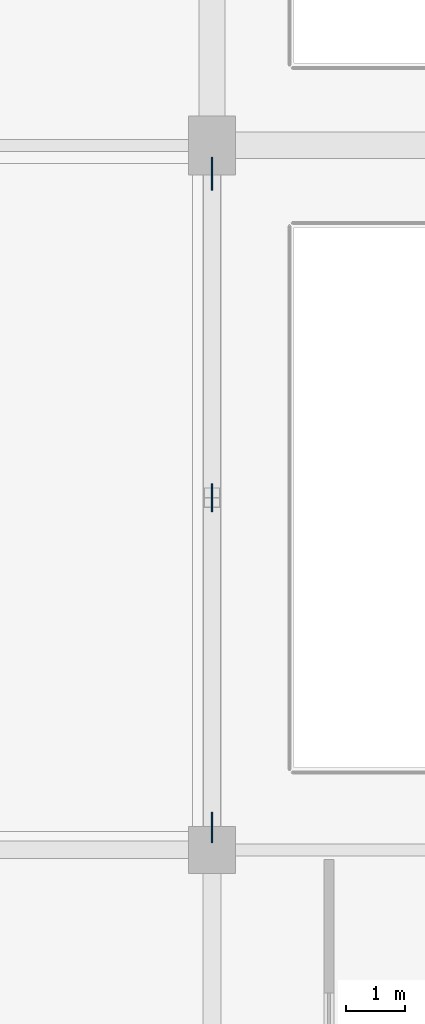
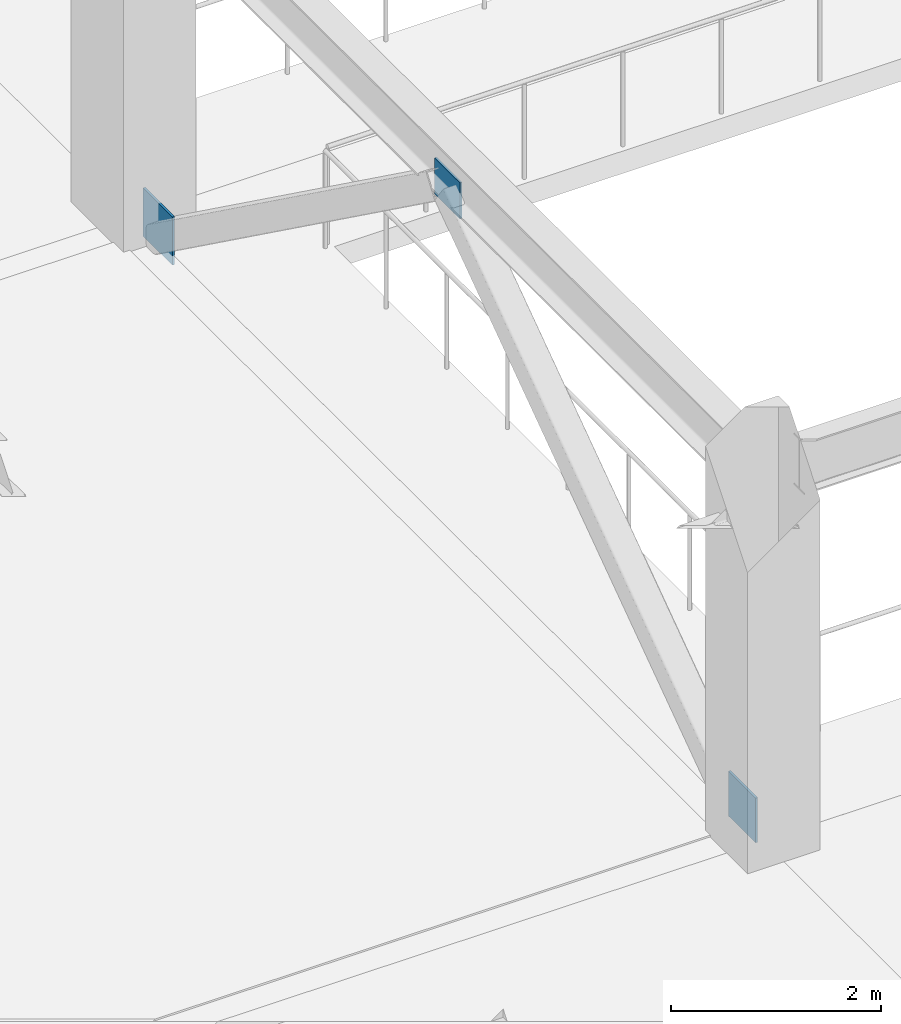
# One storey, part 74 of 134: 3 plates.
"""IFC4 building model written with IfcOpenShell, lengths in metres."""

from ifc_helpers import new_model, si_unit, direction, frame, origin, origin_2d, place, context, subcontext, project, spatial, rectangle, extrude, material, layer, layer_set, type_object, element, save


model = new_model("IFC4")

# Units and contexts
model_context = context("Model", 3, precision=1e-05, world=origin(), true_north=direction((0.0, 1.0)))
body_context = subcontext(model_context, "Body", "Model", "MODEL_VIEW")
ifc_project = project(units=[si_unit("LENGTHUNIT", "METRE"), si_unit("AREAUNIT", "SQUARE_METRE"), si_unit("VOLUMEUNIT", "CUBIC_METRE"), si_unit("PLANEANGLEUNIT", "RADIAN"), si_unit("MASSUNIT", "GRAM", prefix="KILO")], contexts=[model_context])

# Site, building, storey
site_placement = place(None, origin())
site = spatial("IfcSite", under=ifc_project, at=site_placement, CompositionType="ELEMENT")
building_placement = place(site_placement, origin())
building = spatial("IfcBuilding", under=site, at=building_placement, Name="Kazenohara Klinker Stadium", CompositionType="ELEMENT")
storey_placement = place(building_placement, frame((0.0, 0.0, 5.39990234375)))
storey = spatial("IfcBuildingStorey", under=building, at=storey_placement, Name="L01", CompositionType="ELEMENT", Elevation=5.39990234375)

# Plates
ifc_material = material(Name="Steel S355", Category="steel")
ifc_layer_1 = layer(ifc_material, 0.02197265625)
ifc_layer_set_1 = layer_set([ifc_layer_1], Name="Steel S355")
plate_type_1 = type_object("IfcPlateType", Name="PLT-GP02", PredefinedType="USERDEFINED", material=ifc_layer_set_1)
plate_1_placement = place(storey_placement, frame((187.5, 66.0, 3.752197265625), z_axis=(0.0, 0.0, 1.0), x_axis=(1.0, 0.0, 0.0)))
element("IfcPlate", 1, at=plate_1_placement, inside=storey, type_object=plate_type_1, Name="Chevron brace gusset plate GP02 L01 16/F TOP", ObjectType="GUSSET PLATE", PredefinedType="USERDEFINED", context=body_context, shape_type="SweptSolid", body=[
    extrude(rectangle(XDim=0.02197265625, YDim=0.47998046875, at=origin_2d()), origin(), (0.0, 0.0, 1.0), 0.419921875),
])
ifc_layer_2 = layer(ifc_material, 0.02392578125)
ifc_layer_set_2 = layer_set([ifc_layer_2], Name="Steel S355")
plate_type_2 = type_object("IfcPlateType", Name="PLT-GP03", PredefinedType="USERDEFINED", material=ifc_layer_set_2)
plate_2_placement = place(storey_placement, frame((187.5, 60.3798828125, -0.08984375), z_axis=(0.0, 0.0, 1.0), x_axis=(1.0, 0.0, 0.0)))
element("IfcPlate", 2, at=plate_2_placement, inside=storey, type_object=plate_type_2, Name="Chevron brace gusset plate GP03 L01 16/F BOT-A", ObjectType="GUSSET PLATE", PredefinedType="USERDEFINED", context=body_context, shape_type="SweptSolid", body=[
    extrude(rectangle(XDim=0.02392578125, YDim=0.52001953125, at=origin_2d()), origin(), (0.0, 0.0, 1.0), 0.52001953125),
])
ifc_layer_3 = layer(ifc_material, 0.02490234375)
ifc_layer_set_3 = layer_set([ifc_layer_3], Name="Steel S355")
plate_type_3 = type_object("IfcPlateType", Name="PLT-GP04", PredefinedType="USERDEFINED", material=ifc_layer_set_3)
plate_3_placement = place(storey_placement, frame((187.5, 71.52001953125, -0.10986328125), z_axis=(0.0, 0.0, 1.0), x_axis=(1.0, 0.0, 0.0)))
element("IfcPlate", 3, at=plate_3_placement, inside=storey, type_object=plate_type_3, Name="Chevron brace gusset plate GP04 L01 16/F BOT-B", ObjectType="GUSSET PLATE", PredefinedType="USERDEFINED", context=body_context, shape_type="SweptSolid", body=[
    extrude(rectangle(XDim=0.02490234375, YDim=0.56005859375, at=origin_2d()), origin(), (0.0, 0.0, 1.0), 0.56005859375),
])

save(model, "model.ifc")
